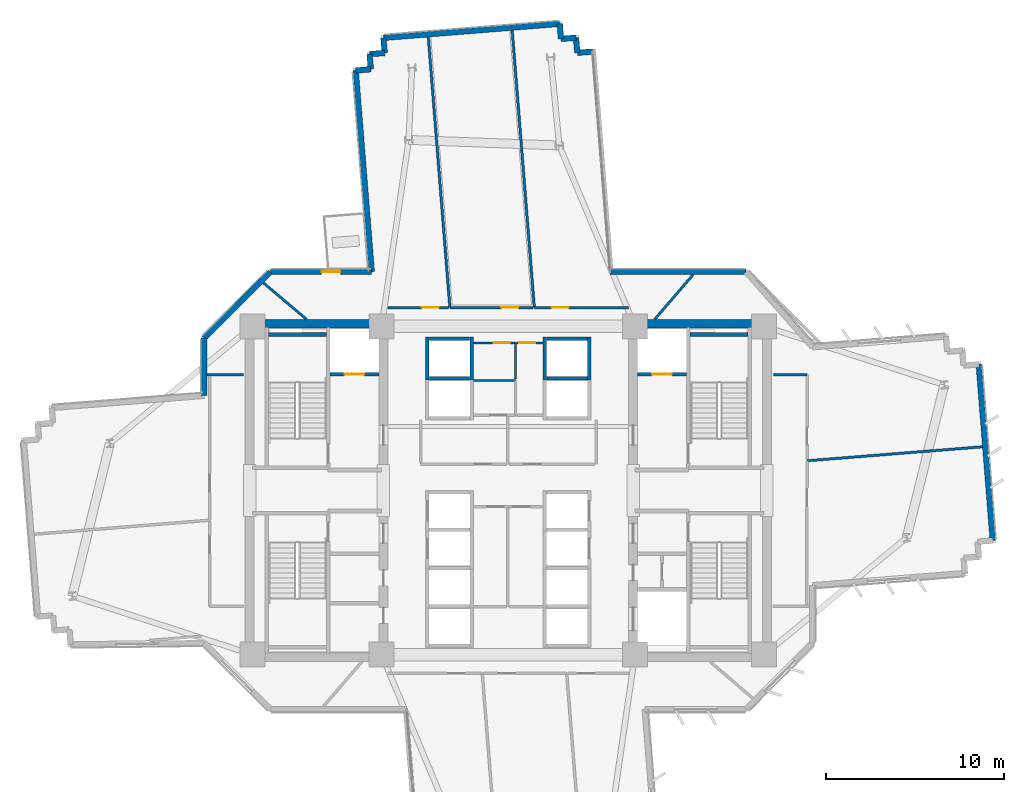
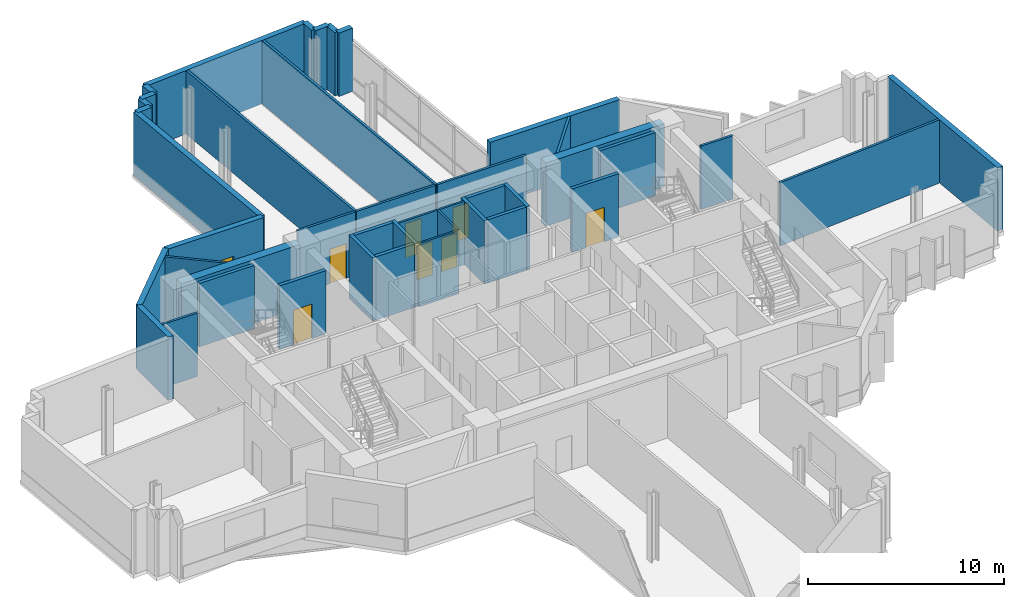
# One storey, part 9 of 15: 43 walls, 8 doors, 8 openings.
"""IFC4 building model written with IfcOpenShell, lengths in metres."""

from ifc_helpers import new_model, si_unit, direction, frame, frame_2d, origin, place, context, subcontext, project, spatial, rectangle, extrude, source, transform, mapped, material, layer, layer_set, type_object, element, fill, save


model = new_model("IFC4")

# Units and contexts
model_context = context("Model", 3, precision=1e-05, world=origin(), true_north=direction((0.0, 1.0)))
body_context = subcontext(model_context, "Body", "Model", "MODEL_VIEW")
ifc_project = project(units=[si_unit("LENGTHUNIT", "METRE"), si_unit("AREAUNIT", "SQUARE_METRE"), si_unit("VOLUMEUNIT", "CUBIC_METRE"), si_unit("PLANEANGLEUNIT", "RADIAN"), si_unit("MASSUNIT", "GRAM", prefix="KILO")], contexts=[model_context])

# Site, building, storey
site_placement = place(None, origin())
site = spatial("IfcSite", under=ifc_project, at=site_placement, CompositionType="ELEMENT")
building_placement = place(site_placement, origin())
building = spatial("IfcBuilding", under=site, at=building_placement, Name="Zahravan Cultural Tower", CompositionType="ELEMENT")
storey_placement = place(building_placement, frame((0.0, 0.0, 87.89990234375)))
storey = spatial("IfcBuildingStorey", under=building, at=storey_placement, Name="L19", CompositionType="ELEMENT", Elevation=87.89990234375)

# Wall, opening, door
ifc_material_1 = material(Name="Precast concrete C40/50", Category="concrete")
ifc_layer_1 = layer(ifc_material_1, 0.320068359375)
ifc_layer_set_1 = layer_set([ifc_layer_1], Name="Precast concrete C40/50")
wall_type_1 = type_object("IfcWallType", Name="EW-TC-320", PredefinedType="SOLIDWALL", material=ifc_layer_set_1)
wall_1_placement = place(storey_placement, frame((22.657958984375, 39.260009765625, 0.0), z_axis=(0.0, 0.0, 1.0), x_axis=(1.0, 0.0, 0.0)))
wall_1 = element("IfcWall", 1, at=wall_1_placement, inside=storey, type_object=wall_type_1, Name="L19 Exterior Masonry Frame Wall 40", PredefinedType="SOLIDWALL", context=body_context, shape_type="SweptSolid", body=[
    extrude(rectangle(XDim=5.68310546875, YDim=0.320068359375, at=frame_2d((2.841552734375, 0.0))), origin(), (0.0, 0.0, 1.0), 3.9501953125),
])
opening_1_placement = place(wall_1_placement, frame((2.8720703125, 0.0, 0.0)))
opening_1 = element("IfcOpeningElement", 2, at=opening_1_placement, cuts=wall_1, Name="Opening D-L19-TR-NW", PredefinedType="OPENING", context=body_context, shape_type="SweptSolid", body=[
    extrude(rectangle(XDim=1.050048828125, YDim=2.14990234375, at=frame_2d((0.52490234375, 1.074951171875))), frame((0.0, 0.169921875, 0.0), z_axis=(0.0, -1.0, 0.0), x_axis=(1.0, 0.0, 0.0)), (0.0, 0.0, 1.0), 0.340087890625),
])
ifc_material_2 = material(Name="Anodised bronze-aluminium mullion", Category="aluminium")
door_type_1 = type_object("IfcDoorType", Name="DR-TERR-1050", OperationType="NOTDEFINED", PredefinedType="DOOR", material=ifc_material_2)
shared_shape_1 = source(origin(), body_context, "Body", "SweptSolid", [
    extrude(rectangle(XDim=1.050048828125, YDim=2.14990234375, at=frame_2d((0.52490234375, 1.074951171875))), frame((0.0, 0.02490234375, 0.0), z_axis=(0.0, -1.0, 0.0), x_axis=(1.0, 0.0, 0.0)), (0.0, 0.0, 1.0), 0.050048828125),
])
door_1_placement = place(opening_1_placement, origin())
door_1 = element("IfcDoor", 3, at=door_1_placement, inside=storey, type_object=door_type_1, Name="L19 Terrace Access Door NW", OperationType="SINGLE_SWING_RIGHT", OverallHeight=2.14990234375, OverallWidth=1.050048828125, PredefinedType="DOOR", context=body_context, shape_type="MappedRepresentation", body=[
    mapped(shared_shape_1, transform((0.0, 0.0, 0.0), x_axis=(1.0, 0.0, 0.0), y_axis=(0.0, 1.0, 0.0), z_axis=(0.0, 0.0, 1.0), scale=1.0)),
])
fill(opening_1, door_1)

ifc_material_3 = material(Name="Gypsum plasterboard partition")
ifc_layer_2 = layer(ifc_material_3, 0.139892578125)
ifc_layer_set_2 = layer_set([ifc_layer_2], Name="Gypsum plasterboard partition")
wall_type_2 = type_object("IfcWallType", Name="W-PART-140", PredefinedType="PARTITIONING", material=ifc_layer_set_2)
wall_2_placement = place(storey_placement, frame((37.3837890625, 37.260009765625, 0.0), z_axis=(0.0, 0.0, 1.0), x_axis=(-1.0, 0.0, 0.0)))
wall_2 = element("IfcWall", 4, at=wall_2_placement, inside=storey, type_object=wall_type_2, Name="L19 Interior Wall 086", PredefinedType="PARTITIONING", context=body_context, shape_type="SweptSolid", body=[
    extrude(rectangle(XDim=4.659912109375, YDim=0.139892578125, at=frame_2d((2.330078125, 0.0))), origin(), (0.0, 0.0, 1.0), 3.9501953125),
])
opening_2_placement = place(wall_2_placement, frame((0.816162109375, 0.0, 0.0)))
opening_2 = element("IfcOpeningElement", 5, at=opening_2_placement, cuts=wall_2, Name="Opening D-L19-22", PredefinedType="OPENING", context=body_context, shape_type="SweptSolid", body=[
    extrude(rectangle(XDim=0.949951171875, YDim=2.14990234375, at=frame_2d((0.47509765625, 1.074951171875))), frame((0.0, 0.079833984375, 0.0), z_axis=(0.0, -1.0, 0.0), x_axis=(1.0, 0.0, 0.0)), (0.0, 0.0, 1.0), 0.159912109375),
])
door_type_2 = type_object("IfcDoorType", Name="DR-ROOM-950", OperationType="NOTDEFINED", PredefinedType="DOOR", material=ifc_material_2)
shared_shape_2 = source(origin(), body_context, "Body", "SweptSolid", [
    extrude(rectangle(XDim=0.949951171875, YDim=2.14990234375, at=frame_2d((0.47509765625, 1.074951171875))), frame((0.0, 0.02490234375, 0.0), z_axis=(0.0, -1.0, 0.0), x_axis=(1.0, 0.0, 0.0)), (0.0, 0.0, 1.0), 0.050048828125),
])
door_2_placement = place(opening_2_placement, origin())
door_2 = element("IfcDoor", 6, at=door_2_placement, inside=storey, type_object=door_type_2, Name="L19 Door D-L19-22", OperationType="SINGLE_SWING_RIGHT", OverallHeight=2.14990234375, OverallWidth=0.949951171875, PredefinedType="DOOR", context=body_context, shape_type="MappedRepresentation", body=[
    mapped(shared_shape_2, transform((0.0, 0.0, 0.0), x_axis=(1.0, 0.0, 0.0), y_axis=(0.0, 1.0, 0.0), z_axis=(0.0, 0.0, 1.0), scale=1.0)),
])
fill(opening_2, door_2)

wall_3_placement = place(storey_placement, frame((32.648681640625, 37.260009765625, 0.0), z_axis=(0.0, 0.0, 1.0), x_axis=(-0.999999935313, -0.00035968633, 0.0)))
wall_3 = element("IfcWall", 7, at=wall_3_placement, inside=storey, type_object=wall_type_2, Name="L19 Interior Wall 094", PredefinedType="PARTITIONING", context=body_context, shape_type="SweptSolid", body=[
    extrude(rectangle(XDim=3.393798828125, YDim=0.139892578125, at=frame_2d((1.69677734375, 0.0))), origin(), (0.0, 0.0, 1.0), 3.9501953125),
])
opening_3_placement = place(wall_3_placement, frame((0.53759765625, 0.0, 0.0)))
opening_3 = element("IfcOpeningElement", 8, at=opening_3_placement, cuts=wall_3, Name="Opening D-L19-23", PredefinedType="OPENING", context=body_context, shape_type="SweptSolid", body=[
    extrude(rectangle(XDim=0.949951171875, YDim=2.14990234375, at=frame_2d((0.47509765625, 1.074951171875))), frame((0.0, 0.079833984375, 0.0), z_axis=(0.0, -1.0, 0.0), x_axis=(1.0, 0.0, 0.0)), (0.0, 0.0, 1.0), 0.159912109375),
])
door_3_placement = place(opening_3_placement, origin())
door_3 = element("IfcDoor", 9, at=door_3_placement, inside=storey, type_object=door_type_2, Name="L19 Door D-L19-23", OperationType="SINGLE_SWING_LEFT", OverallHeight=2.14990234375, OverallWidth=0.949951171875, PredefinedType="DOOR", context=body_context, shape_type="MappedRepresentation", body=[
    mapped(shared_shape_2, transform((0.0, 0.0, 0.0), x_axis=(1.0, 0.0, 0.0), y_axis=(0.0, 1.0, 0.0), z_axis=(0.0, 0.0, 1.0), scale=1.0)),
])
fill(opening_3, door_3)

wall_4_placement = place(storey_placement, frame((42.742431640625, 37.259765625, 0.0), z_axis=(0.0, 0.0, 1.0), x_axis=(-0.999999998924, 4.6384341e-05, 0.0)))
wall_4 = element("IfcWall", 10, at=wall_4_placement, inside=storey, type_object=wall_type_2, Name="L19 Interior Wall 096", PredefinedType="PARTITIONING", context=body_context, shape_type="SweptSolid", body=[
    extrude(rectangle(XDim=5.263427734375, YDim=0.139892578125, at=frame_2d((2.6318359375, 0.0))), origin(), (0.0, 0.0, 1.0), 3.9501953125),
])
opening_4_placement = place(wall_4_placement, frame((3.364501953125, 0.0, 0.0)))
opening_4 = element("IfcOpeningElement", 11, at=opening_4_placement, cuts=wall_4, Name="Opening D-L19-21", PredefinedType="OPENING", context=body_context, shape_type="SweptSolid", body=[
    extrude(rectangle(XDim=0.949951171875, YDim=2.14990234375, at=frame_2d((0.47509765625, 1.074951171875))), frame((0.0, 0.079833984375, 0.0), z_axis=(0.0, -1.0, 0.0), x_axis=(1.0, 0.0, 0.0)), (0.0, 0.0, 1.0), 0.159912109375),
])
door_4_placement = place(opening_4_placement, origin())
door_4 = element("IfcDoor", 12, at=door_4_placement, inside=storey, type_object=door_type_2, Name="L19 Door D-L19-21", OperationType="SINGLE_SWING_LEFT", OverallHeight=2.14990234375, OverallWidth=0.949951171875, PredefinedType="DOOR", context=body_context, shape_type="MappedRepresentation", body=[
    mapped(shared_shape_2, transform((0.0, 0.0, 0.0), x_axis=(1.0, 0.0, 0.0), y_axis=(0.0, 1.0, 0.0), z_axis=(0.0, 0.0, 1.0), scale=1.0)),
])
fill(opening_4, door_4)

ifc_material_4 = material(Name="Concrete C45/55", Category="concrete")
ifc_layer_3 = layer(ifc_material_4, 0.199951171875)
ifc_layer_set_3 = layer_set([ifc_layer_3], Name="Concrete C45/55")
wall_type_3 = type_object("IfcWallType", Name="W-SHAFT-200", PredefinedType="SOLIDWALL", material=ifc_layer_set_3)
wall_5_placement = place(storey_placement, frame((26.0, 33.52001953125, 0.0), z_axis=(0.0, 0.0, 1.0), x_axis=(1.0, 0.0, 0.0)))
wall_5 = element("IfcWall", 13, at=wall_5_placement, inside=storey, type_object=wall_type_3, Name="L19 Interior Wall 021", PredefinedType="SOLIDWALL", context=body_context, shape_type="SweptSolid", body=[
    extrude(rectangle(XDim=2.75, YDim=0.199951171875, at=frame_2d((1.375, 0.0))), origin(), (0.0, 0.0, 1.0), 3.9501953125),
])
opening_5_placement = place(wall_5_placement, frame((0.820068359375, 0.0, 0.0)))
opening_5 = element("IfcOpeningElement", 14, at=opening_5_placement, cuts=wall_5, Name="Opening LD-L19-01", PredefinedType="OPENING", context=body_context, shape_type="SweptSolid", body=[
    extrude(rectangle(XDim=1.10009765625, YDim=2.14990234375, at=frame_2d((0.550048828125, 1.074951171875))), frame((0.0, 0.10986328125, 0.0), z_axis=(0.0, -1.0, 0.0), x_axis=(1.0, 0.0, 0.0)), (0.0, 0.0, 1.0), 0.219970703125),
])
ifc_material_5 = material(Name="Steel ASTM A572 Grade 50", Category="steel")
door_type_3 = type_object("IfcDoorType", Name="DR-LIFT-1100", OperationType="DOUBLE_DOOR_SLIDING", PredefinedType="DOOR", material=ifc_material_5)
shared_shape_3 = source(origin(), body_context, "Body", "SweptSolid", [
    extrude(rectangle(XDim=1.10009765625, YDim=2.14990234375, at=frame_2d((0.550048828125, 1.074951171875))), frame((0.0, 0.02490234375, 0.0), z_axis=(0.0, -1.0, 0.0), x_axis=(1.0, 0.0, 0.0)), (0.0, 0.0, 1.0), 0.050048828125),
])
door_5_placement = place(opening_5_placement, origin())
door_5 = element("IfcDoor", 15, at=door_5_placement, inside=storey, type_object=door_type_3, Name="L19 Door LD-L19-01", OperationType="DOUBLE_DOOR_SLIDING", OverallHeight=2.14990234375, OverallWidth=1.10009765625, PredefinedType="DOOR", context=body_context, shape_type="MappedRepresentation", body=[
    mapped(shared_shape_3, transform((0.0, 0.0, 0.0), x_axis=(1.0, 0.0, 0.0), y_axis=(0.0, 1.0, 0.0), z_axis=(0.0, 0.0, 1.0), scale=1.0)),
])
fill(opening_5, door_5)

wall_6_placement = place(storey_placement, frame((43.25, 33.52001953125, 0.0), z_axis=(0.0, 0.0, 1.0), x_axis=(1.0, 0.0, 0.0)))
wall_6 = element("IfcWall", 16, at=wall_6_placement, inside=storey, type_object=wall_type_3, Name="L19 Interior Wall 022", PredefinedType="SOLIDWALL", context=body_context, shape_type="SweptSolid", body=[
    extrude(rectangle(XDim=2.75, YDim=0.199951171875, at=frame_2d((1.375, 0.0))), origin(), (0.0, 0.0, 1.0), 3.9501953125),
])
opening_6_placement = place(wall_6_placement, frame((0.820068359375, 0.0, 0.0)))
opening_6 = element("IfcOpeningElement", 17, at=opening_6_placement, cuts=wall_6, Name="Opening LD-L19-02", PredefinedType="OPENING", context=body_context, shape_type="SweptSolid", body=[
    extrude(rectangle(XDim=1.10009765625, YDim=2.14990234375, at=frame_2d((0.550048828125, 1.074951171875))), frame((0.0, 0.10986328125, 0.0), z_axis=(0.0, -1.0, 0.0), x_axis=(1.0, 0.0, 0.0)), (0.0, 0.0, 1.0), 0.219970703125),
])
door_6_placement = place(opening_6_placement, origin())
door_6 = element("IfcDoor", 18, at=door_6_placement, inside=storey, type_object=door_type_3, Name="L19 Door LD-L19-02", OperationType="DOUBLE_DOOR_SLIDING", OverallHeight=2.14990234375, OverallWidth=1.10009765625, PredefinedType="DOOR", context=body_context, shape_type="MappedRepresentation", body=[
    mapped(shared_shape_3, transform((0.0, 0.0, 0.0), x_axis=(1.0, 0.0, 0.0), y_axis=(0.0, 1.0, 0.0), z_axis=(0.0, 0.0, 1.0), scale=1.0)),
])
fill(opening_6, door_6)

ifc_layer_4 = layer(ifc_material_3, 0.114990234375)
ifc_layer_set_4 = layer_set([ifc_layer_4], Name="Gypsum plasterboard partition")
wall_type_4 = type_object("IfcWallType", Name="W-WC-115", PredefinedType="PARTITIONING", material=ifc_layer_set_4)
wall_7_placement = place(storey_placement, frame((34.054931640625, 35.280029296875, 0.0), z_axis=(0.0, 0.0, 1.0), x_axis=(1.0, 0.0, 0.0)))
wall_7 = element("IfcWall", 19, at=wall_7_placement, inside=storey, type_object=wall_type_4, Name="L19 Interior Wall 071", PredefinedType="PARTITIONING", context=body_context, shape_type="SweptSolid", body=[
    extrude(rectangle(XDim=2.35498046875, YDim=0.114990234375, at=frame_2d((1.177490234375, 0.0))), origin(), (0.0, 0.0, 1.0), 3.9501953125),
])
opening_7_placement = place(wall_7_placement, frame((1.120849609375, 0.0, 0.0)))
opening_7 = element("IfcOpeningElement", 20, at=opening_7_placement, cuts=wall_7, Name="Opening D-L19-13", PredefinedType="OPENING", context=body_context, shape_type="SweptSolid", body=[
    extrude(rectangle(XDim=0.89990234375, YDim=2.10009765625, at=frame_2d((0.449951171875, 1.050048828125))), frame((0.0, 0.0673828125, 0.0), z_axis=(0.0, -1.0, 0.0), x_axis=(1.0, 0.0, 0.0)), (0.0, 0.0, 1.0), 0.135009765625),
])
door_type_4 = type_object("IfcDoorType", Name="DR-WC-900", OperationType="NOTDEFINED", PredefinedType="DOOR", material=ifc_material_2)
shared_shape_4 = source(origin(), body_context, "Body", "SweptSolid", [
    extrude(rectangle(XDim=0.89990234375, YDim=2.10009765625, at=frame_2d((0.449951171875, 1.050048828125))), frame((0.0, 0.02490234375, 0.0), z_axis=(0.0, -1.0, 0.0), x_axis=(1.0, 0.0, 0.0)), (0.0, 0.0, 1.0), 0.050048828125),
])
door_7_placement = place(opening_7_placement, origin())
door_7 = element("IfcDoor", 21, at=door_7_placement, inside=storey, type_object=door_type_4, Name="L19 Door D-L19-13", OperationType="SINGLE_SWING_LEFT", OverallHeight=2.10009765625, OverallWidth=0.89990234375, PredefinedType="DOOR", context=body_context, shape_type="MappedRepresentation", body=[
    mapped(shared_shape_4, transform((0.0, 0.0, 0.0), x_axis=(1.0, 0.0, 0.0), y_axis=(0.0, 1.0, 0.0), z_axis=(0.0, 0.0, 1.0), scale=1.0)),
])
fill(opening_7, door_7)

wall_8_placement = place(storey_placement, frame((36.472412109375, 35.280029296875, 0.0), z_axis=(0.0, 0.0, 1.0), x_axis=(1.0, 0.0, 0.0)))
wall_8 = element("IfcWall", 22, at=wall_8_placement, inside=storey, type_object=wall_type_4, Name="L19 Interior Wall 074", PredefinedType="PARTITIONING", context=body_context, shape_type="SweptSolid", body=[
    extrude(rectangle(XDim=1.47265625, YDim=0.114990234375, at=frame_2d((0.736328125, 0.0))), origin(), (0.0, 0.0, 1.0), 3.9501953125),
])
opening_8_placement = place(wall_8_placement, frame((0.139892578125, 0.0, 0.0)))
opening_8 = element("IfcOpeningElement", 23, at=opening_8_placement, cuts=wall_8, Name="Opening D-L19-14", PredefinedType="OPENING", context=body_context, shape_type="SweptSolid", body=[
    extrude(rectangle(XDim=0.89990234375, YDim=2.10009765625, at=frame_2d((0.449951171875, 1.050048828125))), frame((0.0, 0.0673828125, 0.0), z_axis=(0.0, -1.0, 0.0), x_axis=(1.0, 0.0, 0.0)), (0.0, 0.0, 1.0), 0.135009765625),
])
door_8_placement = place(opening_8_placement, origin())
door_8 = element("IfcDoor", 24, at=door_8_placement, inside=storey, type_object=door_type_4, Name="L19 Door D-L19-14", OperationType="SINGLE_SWING_RIGHT", OverallHeight=2.10009765625, OverallWidth=0.89990234375, PredefinedType="DOOR", context=body_context, shape_type="MappedRepresentation", body=[
    mapped(shared_shape_4, transform((0.0, 0.0, 0.0), x_axis=(1.0, 0.0, 0.0), y_axis=(0.0, 1.0, 0.0), z_axis=(0.0, 0.0, 1.0), scale=1.0)),
])
fill(opening_8, door_8)

# Walls
ifc_material_6 = material(Name="Concrete C60/75", Category="concrete")
ifc_layer_5 = layer(ifc_material_6, 0.5)
ifc_layer_set_5 = layer_set([ifc_layer_5], Name="Concrete C60/75")
wall_type_5 = type_object("IfcWallType", Name="CW-SHEAR-500-C60", PredefinedType="SHEAR", material=ifc_layer_set_5)
shared_shape_5 = source(origin(), body_context, "Body", "SweptSolid", [
    extrude(rectangle(XDim=7.0, YDim=0.5, at=frame_2d((3.5, 0.0))), origin(), (0.0, 0.0, 1.0), 3.9501953125),
])
for number, where, z_axis, x_axis, name in (
    (25, (21.75, 36.35009765625, 0.0), (0.0, 0.0, 1.0), (1.0, 0.0, 0.0), "L19 Core Shear Wall CW-W-N-L19"),
    (26, (43.25, 36.35009765625, 0.0), (0.0, 0.0, 1.0), (1.0, 0.0, 0.0), "L19 Core Shear Wall CW-E-N-L19"),
):
    element("IfcWall", number, at=place(storey_placement, frame(where, z_axis=z_axis, x_axis=x_axis)), inside=storey, type_object=wall_type_5, Name=name, PredefinedType="SHEAR", context=body_context, shape_type="MappedRepresentation", body=[
        mapped(shared_shape_5, transform((0.0, 0.0, 0.0), x_axis=(1.0, 0.0, 0.0), y_axis=(0.0, 1.0, 0.0), z_axis=(0.0, 0.0, 1.0), scale=1.0)),
    ])
shared_shape_6 = source(origin(), body_context, "Body", "SweptSolid", [
    extrude(rectangle(XDim=0.85009765625, YDim=0.320068359375, at=frame_2d((0.425048828125, 0.0))), origin(), (0.0, 0.0, 1.0), 3.9501953125),
])
for number, where, z_axis, x_axis, name in (
    (27, (27.440185546875, 50.55419921875, 0.0), (0.0, 0.0, 1.0), (0.99685351678, 0.079265793901, 0.0), "L19 Exterior Masonry Frame Wall 42"),
    (28, (28.28759765625, 50.62158203125, 0.0), (0.0, 0.0, 1.0), (-0.079551174585, 0.996830783344, 0.0), "L19 Exterior Masonry Frame Wall 43"),
    (29, (28.219970703125, 51.468994140625, 0.0), (0.0, 0.0, 1.0), (0.996830783344, 0.079551174585, 0.0), "L19 Exterior Masonry Frame Wall 44"),
    (30, (38.888427734375, 53.172607421875, 0.0), (0.0, 0.0, 1.0), (0.079551174585, -0.996830783344, 0.0), "L19 Exterior Masonry Frame Wall 47"),
    (31, (39.870849609375, 51.54541015625, 0.0), (0.0, 0.0, 1.0), (0.996830783344, 0.079551174585, 0.0), "L19 Exterior Masonry Frame Wall 50"),
):
    element("IfcWall", number, at=place(storey_placement, frame(where, z_axis=z_axis, x_axis=x_axis)), inside=storey, type_object=wall_type_1, Name=name, PredefinedType="SOLIDWALL", context=body_context, shape_type="MappedRepresentation", body=[
        mapped(shared_shape_6, transform((0.0, 0.0, 0.0), x_axis=(1.0, 0.0, 0.0), y_axis=(0.0, 1.0, 0.0), z_axis=(0.0, 0.0, 1.0), scale=1.0)),
    ])
shared_shape_7 = source(origin(), body_context, "Body", "SweptSolid", [
    extrude(rectangle(XDim=0.849853515625, YDim=0.320068359375, at=frame_2d((0.4248046875, 0.0))), origin(), (0.0, 0.0, 1.0), 3.9501953125),
])
for number, where, z_axis, x_axis, name in (
    (32, (29.0673828125, 51.53662109375, 0.0), (0.0, 0.0, 1.0), (-0.079573954853, 0.996828965123, 0.0), "L19 Exterior Masonry Frame Wall 45"),
    (33, (38.9560546875, 52.3251953125, 0.0), (0.0, 0.0, 1.0), (0.996851711541, 0.079288493483, 0.0), "L19 Exterior Masonry Frame Wall 48"),
    (34, (39.80322265625, 52.392578125, 0.0), (0.0, 0.0, 1.0), (0.079573954853, -0.996828965123, 0.0), "L19 Exterior Masonry Frame Wall 49"),
):
    element("IfcWall", number, at=place(storey_placement, frame(where, z_axis=z_axis, x_axis=x_axis)), inside=storey, type_object=wall_type_1, Name=name, PredefinedType="SOLIDWALL", context=body_context, shape_type="MappedRepresentation", body=[
        mapped(shared_shape_7, transform((0.0, 0.0, 0.0), x_axis=(1.0, 0.0, 0.0), y_axis=(0.0, 1.0, 0.0), z_axis=(0.0, 0.0, 1.0), scale=1.0)),
    ])
shared_shape_8 = source(origin(), body_context, "Body", "SweptSolid", [
    extrude(rectangle(XDim=9.919921875, YDim=0.320068359375, at=frame_2d((4.9599609375, 0.0))), origin(), (0.0, 0.0, 1.0), 3.9501953125),
])
wall_9_placement = place(storey_placement, frame((62.380615234375, 34.07958984375, 0.0), z_axis=(0.0, 0.0, 1.0), x_axis=(0.07949480177, -0.996835280521, 0.0)))
element("IfcWall", 35, at=wall_9_placement, inside=storey, type_object=wall_type_1, Name="L19 Exterior Masonry Frame Wall 06", PredefinedType="SOLIDWALL", context=body_context, shape_type="MappedRepresentation", body=[
    mapped(shared_shape_8, transform((0.0, 0.0, 0.0), x_axis=(1.0, 0.0, 0.0), y_axis=(0.0, 1.0, 0.0), z_axis=(0.0, 0.0, 1.0), scale=1.0)),
])
shared_shape_9 = source(origin(), body_context, "Body", "SweptSolid", [
    extrude(rectangle(XDim=5.258056640625, YDim=0.320068359375, at=frame_2d((2.62890625, 0.0))), origin(), (0.0, 0.0, 1.0), 3.9501953125),
])
wall_10_placement = place(storey_placement, frame((18.93994140625, 35.5419921875, 0.0), z_axis=(0.0, 0.0, 1.0), x_axis=(0.707106781187, 0.707106781187, 0.0)))
element("IfcWall", 36, at=wall_10_placement, inside=storey, type_object=wall_type_1, Name="L19 Exterior Masonry Frame Wall 39", PredefinedType="SOLIDWALL", context=body_context, shape_type="MappedRepresentation", body=[
    mapped(shared_shape_9, transform((0.0, 0.0, 0.0), x_axis=(1.0, 0.0, 0.0), y_axis=(0.0, 1.0, 0.0), z_axis=(0.0, 0.0, 1.0), scale=1.0)),
])
shared_shape_10 = source(origin(), body_context, "Body", "SweptSolid", [
    extrude(rectangle(XDim=3.221435546875, YDim=0.320068359375, at=frame_2d((1.61083984375, 0.0))), origin(), (0.0, 0.0, 1.0), 3.9501953125),
])
wall_11_placement = place(storey_placement, frame((18.93994140625, 32.320556640625, 0.0), z_axis=(0.0, 0.0, 1.0), x_axis=(0.0, 1.0, 0.0)))
element("IfcWall", 37, at=wall_11_placement, inside=storey, type_object=wall_type_1, Name="L19 Exterior Masonry Frame Wall 38", PredefinedType="SOLIDWALL", context=body_context, shape_type="MappedRepresentation", body=[
    mapped(shared_shape_10, transform((0.0, 0.0, 0.0), x_axis=(1.0, 0.0, 0.0), y_axis=(0.0, 1.0, 0.0), z_axis=(0.0, 0.0, 1.0), scale=1.0)),
])
shared_shape_11 = source(origin(), body_context, "Body", "SweptSolid", [
    extrude(rectangle(XDim=7.638671875, YDim=0.320068359375, at=frame_2d((3.8193359375, 0.0))), origin(), (0.0, 0.0, 1.0), 3.9501953125),
])
wall_12_placement = place(storey_placement, frame((41.703369140625, 39.260009765625, 0.0), z_axis=(0.0, 0.0, 1.0), x_axis=(1.0, 0.0, 0.0)))
element("IfcWall", 38, at=wall_12_placement, inside=storey, type_object=wall_type_1, Name="L19 Exterior Masonry Frame Wall 51", PredefinedType="SOLIDWALL", context=body_context, shape_type="MappedRepresentation", body=[
    mapped(shared_shape_11, transform((0.0, 0.0, 0.0), x_axis=(1.0, 0.0, 0.0), y_axis=(0.0, 1.0, 0.0), z_axis=(0.0, 0.0, 1.0), scale=1.0)),
])
shared_shape_12 = source(origin(), body_context, "Body", "SweptSolid", [
    extrude(rectangle(XDim=11.330078125, YDim=0.320068359375, at=frame_2d((5.6650390625, 0.0))), origin(), (0.0, 0.0, 1.0), 3.9501953125),
])
wall_13_placement = place(storey_placement, frame((28.341064453125, 39.260009765625, 0.0), z_axis=(0.0, 0.0, 1.0), x_axis=(-0.079512268319, 0.996833887459, 0.0)))
element("IfcWall", 39, at=wall_13_placement, inside=storey, type_object=wall_type_1, Name="L19 Exterior Masonry Frame Wall 41", PredefinedType="SOLIDWALL", context=body_context, shape_type="MappedRepresentation", body=[
    mapped(shared_shape_12, transform((0.0, 0.0, 0.0), x_axis=(1.0, 0.0, 0.0), y_axis=(0.0, 1.0, 0.0), z_axis=(0.0, 0.0, 1.0), scale=1.0)),
])
shared_shape_13 = source(origin(), body_context, "Body", "SweptSolid", [
    extrude(rectangle(XDim=9.920166015625, YDim=0.320068359375, at=frame_2d((4.9599609375, 0.0))), origin(), (0.0, 0.0, 1.0), 3.9501953125),
])
wall_14_placement = place(storey_placement, frame((28.999755859375, 52.3837890625, 0.0), z_axis=(0.0, 0.0, 1.0), x_axis=(0.996833485558, 0.079517306731, 0.0)))
element("IfcWall", 40, at=wall_14_placement, inside=storey, type_object=wall_type_1, Name="L19 Exterior Masonry Frame Wall 46", PredefinedType="SOLIDWALL", context=body_context, shape_type="MappedRepresentation", body=[
    mapped(shared_shape_13, transform((0.0, 0.0, 0.0), x_axis=(1.0, 0.0, 0.0), y_axis=(0.0, 1.0, 0.0), z_axis=(0.0, 0.0, 1.0), scale=1.0)),
])
shared_shape_14 = source(origin(), body_context, "Body", "SweptSolid", [
    extrude(rectangle(XDim=3.25, YDim=0.199951171875, at=frame_2d((1.625, 0.0))), origin(), (0.0, 0.0, 1.0), 3.9501953125),
])
for number, where, z_axis, x_axis, name in (
    (41, (22.550048828125, 35.75, 0.0), (0.0, 0.0, 1.0), (1.0, 0.0, 0.0), "L19 Interior Wall 017"),
    (42, (46.199951171875, 35.75, 0.0), (0.0, 0.0, 1.0), (1.0, 0.0, 0.0), "L19 Interior Wall 018"),
):
    element("IfcWall", number, at=place(storey_placement, frame(where, z_axis=z_axis, x_axis=x_axis)), inside=storey, type_object=wall_type_3, Name=name, PredefinedType="SOLIDWALL", context=body_context, shape_type="MappedRepresentation", body=[
        mapped(shared_shape_14, transform((0.0, 0.0, 0.0), x_axis=(1.0, 0.0, 0.0), y_axis=(0.0, 1.0, 0.0), z_axis=(0.0, 0.0, 1.0), scale=1.0)),
    ])
shared_shape_15 = source(origin(), body_context, "Body", "SweptSolid", [
    extrude(rectangle(XDim=2.400146484375, YDim=0.199951171875, at=frame_2d((1.2001953125, 0.0))), origin(), (0.0, 0.0, 1.0), 3.9501953125),
])
for number, where, z_axis, x_axis, name in (
    (43, (31.449951171875, 33.199951171875, 0.0), (0.0, 0.0, 1.0), (0.0, 1.0, 0.0), "L19 Interior Wall 028"),
    (44, (33.949951171875, 33.199951171875, 0.0), (0.0, 0.0, 1.0), (0.0, 1.0, 0.0), "L19 Interior Wall 029"),
    (45, (38.050048828125, 33.199951171875, 0.0), (0.0, 0.0, 1.0), (0.0, 1.0, 0.0), "L19 Interior Wall 035"),
    (46, (40.550048828125, 33.199951171875, 0.0), (0.0, 0.0, 1.0), (0.0, 1.0, 0.0), "L19 Interior Wall 036"),
):
    element("IfcWall", number, at=place(storey_placement, frame(where, z_axis=z_axis, x_axis=x_axis)), inside=storey, type_object=wall_type_3, Name=name, PredefinedType="SOLIDWALL", context=body_context, shape_type="MappedRepresentation", body=[
        mapped(shared_shape_15, transform((0.0, 0.0, 0.0), x_axis=(1.0, 0.0, 0.0), y_axis=(0.0, 1.0, 0.0), z_axis=(0.0, 0.0, 1.0), scale=1.0)),
    ])
shared_shape_16 = source(origin(), body_context, "Body", "SweptSolid", [
    extrude(rectangle(XDim=2.260009765625, YDim=0.199951171875, at=frame_2d((1.1298828125, 0.0))), origin(), (0.0, 0.0, 1.0), 3.9501953125),
])
for number, where, z_axis, x_axis, name in (
    (47, (31.570068359375, 33.300048828125, 0.0), (0.0, 0.0, 1.0), (1.0, 0.0, 0.0), "L19 Interior Wall 030"),
    (48, (31.570068359375, 35.5, 0.0), (0.0, 0.0, 1.0), (1.0, 0.0, 0.0), "L19 Interior Wall 031"),
    (49, (38.169921875, 33.300048828125, 0.0), (0.0, 0.0, 1.0), (1.0, 0.0, 0.0), "L19 Interior Wall 037"),
    (50, (38.169921875, 35.5, 0.0), (0.0, 0.0, 1.0), (1.0, 0.0, 0.0), "L19 Interior Wall 038"),
):
    element("IfcWall", number, at=place(storey_placement, frame(where, z_axis=z_axis, x_axis=x_axis)), inside=storey, type_object=wall_type_3, Name=name, PredefinedType="SOLIDWALL", context=body_context, shape_type="MappedRepresentation", body=[
        mapped(shared_shape_16, transform((0.0, 0.0, 0.0), x_axis=(1.0, 0.0, 0.0), y_axis=(0.0, 1.0, 0.0), z_axis=(0.0, 0.0, 1.0), scale=1.0)),
    ])
shared_shape_17 = source(origin(), body_context, "Body", "SweptSolid", [
    extrude(rectangle(XDim=2.35498046875, YDim=0.114990234375, at=frame_2d((1.177490234375, 0.0))), origin(), (0.0, 0.0, 1.0), 3.9501953125),
])
wall_15_placement = place(storey_placement, frame((34.054931640625, 33.179931640625, 0.0), z_axis=(0.0, 0.0, 1.0), x_axis=(1.0, 0.0, 0.0)))
element("IfcWall", 51, at=wall_15_placement, inside=storey, type_object=wall_type_4, Name="L19 Interior Wall 069", PredefinedType="PARTITIONING", context=body_context, shape_type="MappedRepresentation", body=[
    mapped(shared_shape_17, transform((0.0, 0.0, 0.0), x_axis=(1.0, 0.0, 0.0), y_axis=(0.0, 1.0, 0.0), z_axis=(0.0, 0.0, 1.0), scale=1.0)),
])
shared_shape_18 = source(origin(), body_context, "Body", "SweptSolid", [
    extrude(rectangle(XDim=2.0400390625, YDim=0.114990234375, at=frame_2d((1.02001953125, 0.0))), origin(), (0.0, 0.0, 1.0), 3.9501953125),
])
wall_16_placement = place(storey_placement, frame((36.409912109375, 35.280029296875, 0.0), z_axis=(0.0, 0.0, 1.0), x_axis=(0.0, -1.0, 0.0)))
element("IfcWall", 52, at=wall_16_placement, inside=storey, type_object=wall_type_4, Name="L19 Interior Wall 072", PredefinedType="PARTITIONING", context=body_context, shape_type="MappedRepresentation", body=[
    mapped(shared_shape_18, transform((0.0, 0.0, 0.0), x_axis=(1.0, 0.0, 0.0), y_axis=(0.0, 1.0, 0.0), z_axis=(0.0, 0.0, 1.0), scale=1.0)),
])
shared_shape_19 = source(origin(), body_context, "Body", "SweptSolid", [
    extrude(rectangle(XDim=15.58349609375, YDim=0.139892578125, at=frame_2d((7.791748046875, 0.0))), origin(), (0.0, 0.0, 1.0), 3.9501953125),
])
wall_17_placement = place(storey_placement, frame((36.219970703125, 52.794189453125, 0.0), z_axis=(0.0, 0.0, 1.0), x_axis=(0.079507979427, -0.996834229552, 0.0)))
element("IfcWall", 53, at=wall_17_placement, inside=storey, type_object=wall_type_2, Name="L19 Interior Wall 085", PredefinedType="PARTITIONING", context=body_context, shape_type="MappedRepresentation", body=[
    mapped(shared_shape_19, transform((0.0, 0.0, 0.0), x_axis=(1.0, 0.0, 0.0), y_axis=(0.0, 1.0, 0.0), z_axis=(0.0, 0.0, 1.0), scale=1.0)),
])
shared_shape_20 = source(origin(), body_context, "Body", "SweptSolid", [
    extrude(rectangle(XDim=15.20703125, YDim=0.139892578125, at=frame_2d((7.603515625, 0.0))), origin(), (0.0, 0.0, 1.0), 3.9501953125),
])
wall_18_placement = place(storey_placement, frame((32.723876953125, 37.260009765625, 0.0), z_axis=(0.0, 0.0, 1.0), x_axis=(-0.07950146843, 0.996834748851, 0.0)))
element("IfcWall", 54, at=wall_18_placement, inside=storey, type_object=wall_type_2, Name="L19 Interior Wall 087", PredefinedType="PARTITIONING", context=body_context, shape_type="MappedRepresentation", body=[
    mapped(shared_shape_20, transform((0.0, 0.0, 0.0), x_axis=(1.0, 0.0, 0.0), y_axis=(0.0, 1.0, 0.0), z_axis=(0.0, 0.0, 1.0), scale=1.0)),
])
shared_shape_21 = source(origin(), body_context, "Body", "SweptSolid", [
    extrude(rectangle(XDim=3.154541015625, YDim=0.139892578125, at=frame_2d((1.5771484375, 0.0))), origin(), (0.0, 0.0, 1.0), 3.9501953125),
])
wall_19_placement = place(storey_placement, frame((24.681640625, 36.60498046875, 0.0), z_axis=(0.0, 0.0, 1.0), x_axis=(-0.76411384058, 0.645081420159, 0.0)))
element("IfcWall", 55, at=wall_19_placement, inside=storey, type_object=wall_type_2, Name="L19 Interior Wall 095", PredefinedType="PARTITIONING", context=body_context, shape_type="MappedRepresentation", body=[
    mapped(shared_shape_21, transform((0.0, 0.0, 0.0), x_axis=(1.0, 0.0, 0.0), y_axis=(0.0, 1.0, 0.0), z_axis=(0.0, 0.0, 1.0), scale=1.0)),
])
shared_shape_22 = source(origin(), body_context, "Body", "SweptSolid", [
    extrude(rectangle(XDim=3.2900390625, YDim=0.139892578125, at=frame_2d((1.64501953125, 0.0))), origin(), (0.0, 0.0, 1.0), 3.9501953125),
])
wall_20_placement = place(storey_placement, frame((46.359619140625, 39.098876953125, 0.0), z_axis=(0.0, 0.0, 1.0), x_axis=(-0.652214149627, -0.758034763732, 0.0)))
element("IfcWall", 56, at=wall_20_placement, inside=storey, type_object=wall_type_2, Name="L19 Interior Wall 098", PredefinedType="PARTITIONING", context=body_context, shape_type="MappedRepresentation", body=[
    mapped(shared_shape_22, transform((0.0, 0.0, 0.0), x_axis=(1.0, 0.0, 0.0), y_axis=(0.0, 1.0, 0.0), z_axis=(0.0, 0.0, 1.0), scale=1.0)),
])
shared_shape_23 = source(origin(), body_context, "Body", "SweptSolid", [
    extrude(rectangle(XDim=9.865478515625, YDim=0.139892578125, at=frame_2d((4.9326171875, 0.0))), origin(), (0.0, 0.0, 1.0), 3.9501953125),
])
wall_21_placement = place(storey_placement, frame((62.584228515625, 29.451416015625, 0.0), z_axis=(0.0, 0.0, 1.0), x_axis=(-0.996833900052, -0.079512110446, 0.0)))
element("IfcWall", 57, at=wall_21_placement, inside=storey, type_object=wall_type_2, Name="L19 Interior Wall 103", PredefinedType="PARTITIONING", context=body_context, shape_type="MappedRepresentation", body=[
    mapped(shared_shape_23, transform((0.0, 0.0, 0.0), x_axis=(1.0, 0.0, 0.0), y_axis=(0.0, 1.0, 0.0), z_axis=(0.0, 0.0, 1.0), scale=1.0)),
])
shared_shape_24 = source(origin(), body_context, "Body", "SweptSolid", [
    extrude(rectangle(XDim=1.891845703125, YDim=0.139892578125, at=frame_2d((0.94580078125, 0.0))), origin(), (0.0, 0.0, 1.0), 3.9501953125),
])
wall_22_placement = place(storey_placement, frame((52.74951171875, 33.49658203125, 0.0), z_axis=(0.0, 0.0, 1.0), x_axis=(-0.999998592772, 0.001677633463, 0.0)))
element("IfcWall", 58, at=wall_22_placement, inside=storey, type_object=wall_type_2, Name="L19 Interior Wall 105", PredefinedType="PARTITIONING", context=body_context, shape_type="MappedRepresentation", body=[
    mapped(shared_shape_24, transform((0.0, 0.0, 0.0), x_axis=(1.0, 0.0, 0.0), y_axis=(0.0, 1.0, 0.0), z_axis=(0.0, 0.0, 1.0), scale=1.0)),
])
shared_shape_25 = source(origin(), body_context, "Body", "SweptSolid", [
    extrude(rectangle(XDim=2.04931640625, YDim=0.139892578125, at=frame_2d((1.024658203125, 0.0))), origin(), (0.0, 0.0, 1.0), 3.9501953125),
])
wall_23_placement = place(storey_placement, frame((21.1494140625, 33.49658203125, 0.0), z_axis=(0.0, 0.0, 1.0), x_axis=(-0.999999936133, 0.000357398119, 0.0)))
element("IfcWall", 59, at=wall_23_placement, inside=storey, type_object=wall_type_2, Name="L19 Interior Wall 111", PredefinedType="PARTITIONING", context=body_context, shape_type="MappedRepresentation", body=[
    mapped(shared_shape_25, transform((0.0, 0.0, 0.0), x_axis=(1.0, 0.0, 0.0), y_axis=(0.0, 1.0, 0.0), z_axis=(0.0, 0.0, 1.0), scale=1.0)),
])

save(model, "model.ifc")
